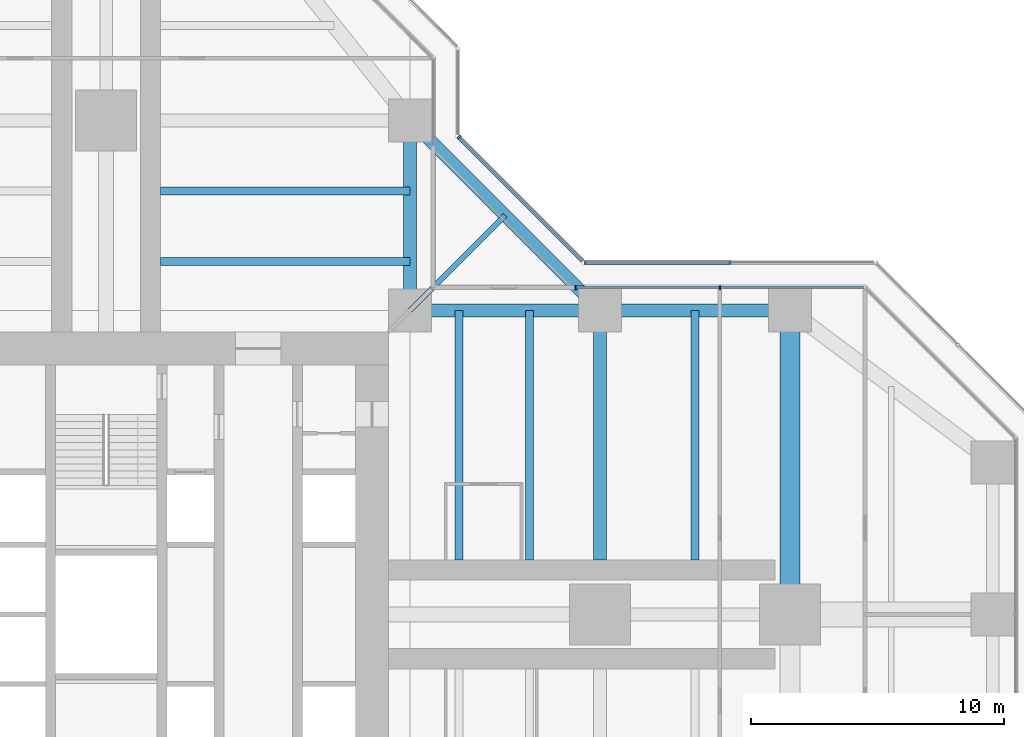
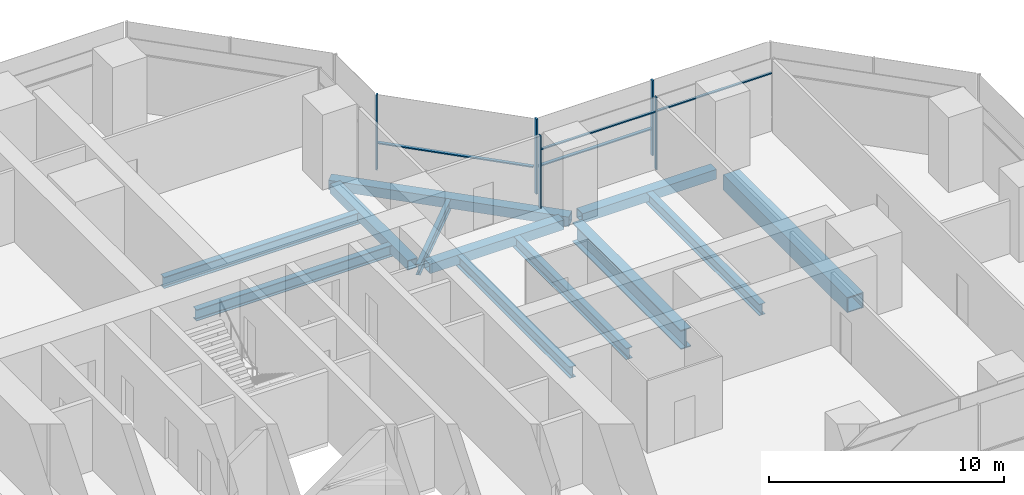
# One storey, part 9 of 19: 12 beams, 9 members, 3 elements without a shape of their own.
"""IFC4 building model written with IfcOpenShell, lengths in metres."""

from ifc_helpers import new_model, si_unit, direction, frame, origin, origin_2d, place, context, subcontext, project, spatial, rectangle, hollow_rectangle, i_section, extrude, material, material_profile, profile_set, type_object, element, aggregate, save


model = new_model("IFC4")

# Units and contexts
model_context = context("Model", 3, precision=1e-05, world=origin(), true_north=direction((0.0, 1.0)))
body_context = subcontext(model_context, "Body", "Model", "MODEL_VIEW")
ifc_project = project(units=[si_unit("LENGTHUNIT", "METRE"), si_unit("AREAUNIT", "SQUARE_METRE"), si_unit("VOLUMEUNIT", "CUBIC_METRE"), si_unit("PLANEANGLEUNIT", "RADIAN"), si_unit("MASSUNIT", "GRAM", prefix="KILO")], contexts=[model_context])

# Site, building, storey
site_placement = place(None, origin())
site = spatial("IfcSite", under=ifc_project, at=site_placement, CompositionType="ELEMENT")
building_placement = place(site_placement, origin())
building = spatial("IfcBuilding", under=site, at=building_placement, Name="Mizan Broadcast Tower", CompositionType="ELEMENT")
storey_placement = place(building_placement, frame((0.0, 0.0, 182.699951171875)))
storey = spatial("IfcBuildingStorey", under=building, at=storey_placement, Name="L42", CompositionType="ELEMENT", Elevation=182.699951171875)

# Beams
ifc_material_1 = material(Name="Steel S355", Category="steel")
ifc_material_profile_1 = material_profile(ifc_material_1, hollow_rectangle(XDim=0.5, YDim=0.5, WallThickness=0.030029296875, at=origin_2d()), Name="BOX 500x500x30")
ifc_profile_set_1 = profile_set([ifc_material_profile_1], Name="Steel S355")
beam_type_1 = type_object("IfcBeamType", Name="EDGE BEAM BOX 500x500x30", PredefinedType="SPANDREL", material=ifc_profile_set_1)
for number, where, z_axis, x_axis, name in (
    (1, (12.449951171875, 12.0, -0.3798828125), (1.0, 0.0, 0.0), (0.0, 1.0, 0.0), "Edge beam BOX 500x500x30 L42 east arm"),
    (2, (19.949951171875, 12.0, -0.3798828125), (1.0, 0.0, 0.0), (0.0, 1.0, 0.0), "Edge beam BOX 500x500x30 L42 east arm"),
    (3, (12.0, 12.449951171875, -0.3798828125), (0.0, 1.0, 0.0), (-1.0, 0.0, 0.0), "Edge beam BOX 500x500x30 L42 north arm"),
):
    element("IfcBeam", number, at=place(storey_placement, frame(where, z_axis=z_axis, x_axis=x_axis)), inside=storey, type_object=beam_type_1, Name=name, PredefinedType="SPANDREL", context=body_context, shape_type="SweptSolid", body=[
        extrude(hollow_rectangle(XDim=0.5, YDim=0.5, WallThickness=0.030029296875, at=origin_2d()), origin(), (0.0, 0.0, 1.0), 6.60009765625),
    ])
beam_1_placement = place(storey_placement, frame((19.5, 12.0, -0.3798828125), z_axis=(-0.707106781187, 0.707106781187, 0.0), x_axis=(-0.707106781187, -0.707106781187, 0.0)))
element("IfcBeam", 4, at=beam_1_placement, inside=storey, type_object=beam_type_1, Name="Winter garden edge beam L42 E", PredefinedType="SPANDREL", context=body_context, shape_type="SweptSolid", body=[
    extrude(hollow_rectangle(XDim=0.5, YDim=0.5, WallThickness=0.030029296875, at=origin_2d()), origin(), (0.0, 0.0, 1.0), 10.606689453125),
])
ifc_material_2 = material(Name="Steel S460", Category="steel")
ifc_material_profile_2 = material_profile(ifc_material_2, hollow_rectangle(XDim=0.800048828125, YDim=0.800048828125, WallThickness=0.050048828125, at=origin_2d()), Name="BOX 800x800x50")
ifc_profile_set_2 = profile_set([ifc_material_profile_2], Name="Steel S460")
beam_type_2 = type_object("IfcBeamType", Name="GIRDER BOX 800x800x50", PredefinedType="BEAM", material=ifc_profile_set_2)
beam_2_placement = place(storey_placement, frame((27.0, 11.280029296875, -0.530029296875), z_axis=(0.0, -1.0, 0.0), x_axis=(1.0, 0.0, 0.0)))
element("IfcBeam", 5, at=beam_2_placement, inside=storey, type_object=beam_type_2, Name="Girder BOX 800x800x50 L42 east arm", PredefinedType="BEAM", context=body_context, shape_type="SweptSolid", body=[
    extrude(hollow_rectangle(XDim=0.800048828125, YDim=0.800048828125, WallThickness=0.050048828125, at=origin_2d()), origin(), (0.0, 0.0, 1.0), 10.56005859375),
])
ifc_material_3 = material(Name="Steel S460", Category="steel")
ifc_material_profile_3 = material_profile(ifc_material_3, i_section(OverallWidth=0.5, OverallDepth=1.0, WebThickness=0.02490234375, FlangeThickness=0.050048828125, at=origin_2d()), Name="WPG 1000x500")
ifc_profile_set_3 = profile_set([ifc_material_profile_3], Name="Steel S460")
beam_type_3 = type_object("IfcBeamType", Name="GIRDER WPG 1000x500", PredefinedType="BEAM", material=ifc_profile_set_3)
beam_3_placement = place(storey_placement, frame((19.5, 11.408935546875, -0.6298828125), z_axis=(0.0, -1.0, 0.0), x_axis=(1.0, 0.0, 0.0)))
element("IfcBeam", 6, at=beam_3_placement, inside=storey, type_object=beam_type_3, Name="Girder WPG 1000x500 L42 east arm", PredefinedType="BEAM", context=body_context, shape_type="SweptSolid", body=[
    extrude(i_section(OverallWidth=0.5, OverallDepth=1.0, WebThickness=0.02490234375, FlangeThickness=0.050048828125, at=origin_2d()), origin(), (0.0, 0.0, 1.0), 9.259033203125),
])

# Curtain wall, members
ifc_material_4 = material(Name="Aluminium framed glazing", Category="aluminium")
curtain_wall_type_1 = type_object("IfcCurtainWallType", Name="INNER SKIN MID ZONE", PredefinedType="USERDEFINED", material=ifc_material_4)
curtain_wall_1_placement = place(storey_placement, origin())
curtain_wall_1 = element("IfcCurtainWall", 7, at=curtain_wall_1_placement, inside=storey, type_object=curtain_wall_type_1, Name="Inner skin mid zone L42 E side", ObjectType="INNER SKIN MID ZONE", PredefinedType="USERDEFINED")
ifc_material_5 = material(Name="Aluminium, pale anodised", Category="aluminium")
ifc_material_profile_4 = material_profile(ifc_material_5, rectangle(XDim=0.159912109375, YDim=0.06005859375, at=origin_2d()), Name="MULLION 160x60")
ifc_profile_set_4 = profile_set([ifc_material_profile_4], Name="Aluminium, pale anodised")
member_type_1 = type_object("IfcMemberType", Name="INNER SKIN MULLION 60x160", PredefinedType="MULLION", material=ifc_profile_set_4)
member_1_placement = place(storey_placement, frame((24.229248046875, 12.89990234375, 0.0), z_axis=(0.0, 0.0, 1.0), x_axis=(0.0, -1.0, 0.0)))
member_1 = element("IfcMember", 8, at=member_1_placement, type_object=member_type_1, Name="Inner skin mid zone L42 E side mullion 2", PredefinedType="MULLION", context=body_context, shape_type="SweptSolid", body=[
    extrude(rectangle(XDim=0.159912109375, YDim=0.06005859375, at=origin_2d()), origin(), (0.0, 0.0, 1.0), 3.77001953125),
])
member_2_placement = place(storey_placement, frame((18.530029296875, 12.89990234375, 0.0), z_axis=(0.0, 0.0, 1.0), x_axis=(0.0, -1.0, 0.0)))
member_2 = element("IfcMember", 9, at=member_2_placement, type_object=member_type_1, Name="Inner skin mid zone L42 E side mullion 3", PredefinedType="MULLION", context=body_context, shape_type="SweptSolid", body=[
    extrude(rectangle(XDim=0.159912109375, YDim=0.06005859375, at=origin_2d()), origin(), (0.0, 0.0, 1.0), 3.77001953125),
])
ifc_material_6 = material(Name="Aluminium, pale anodised", Category="aluminium")
ifc_material_profile_5 = material_profile(ifc_material_6, rectangle(XDim=0.1201171875, YDim=0.06005859375, at=origin_2d()), Name="TRANSOM 120x60")
ifc_profile_set_5 = profile_set([ifc_material_profile_5], Name="Aluminium, pale anodised")
member_type_2 = type_object("IfcMemberType", Name="INNER SKIN TRANSOM 60x120", PredefinedType="USERDEFINED", material=ifc_profile_set_5)
member_3_placement = place(storey_placement, frame((29.898681640625, 12.89990234375, 3.030029296875), z_axis=(-1.0, 0.0, 0.0), x_axis=(0.0, -1.0, 0.0)))
member_3 = element("IfcMember", 10, at=member_3_placement, type_object=member_type_2, Name="Inner skin mid zone L42 E side transom 1.1", ObjectType="TRANSOM", PredefinedType="USERDEFINED", context=body_context, shape_type="SweptSolid", body=[
    extrude(rectangle(XDim=0.1201171875, YDim=0.06005859375, at=origin_2d()), origin(), (0.0, 0.0, 1.0), 5.639404296875),
])
member_4_placement = place(storey_placement, frame((24.19921875, 12.89990234375, 3.030029296875), z_axis=(-1.0, 0.0, 0.0), x_axis=(0.0, -1.0, 0.0)))
member_4 = element("IfcMember", 11, at=member_4_placement, type_object=member_type_2, Name="Inner skin mid zone L42 E side transom 2.1", ObjectType="TRANSOM", PredefinedType="USERDEFINED", context=body_context, shape_type="SweptSolid", body=[
    extrude(rectangle(XDim=0.1201171875, YDim=0.06005859375, at=origin_2d()), origin(), (0.0, 0.0, 1.0), 5.63916015625),
])
aggregate(curtain_wall_1, [member_1, member_2, member_3, member_4])

ifc_material_7 = material(Name="Aluminium framed glazing", Category="aluminium")
curtain_wall_type_2 = type_object("IfcCurtainWallType", Name="OUTER SKIN", PredefinedType="USERDEFINED", material=ifc_material_7)
curtain_wall_2_placement = place(storey_placement, origin())
curtain_wall_2 = element("IfcCurtainWall", 12, at=curtain_wall_2_placement, inside=storey, type_object=curtain_wall_type_2, Name="Outer skin L42 E side", ObjectType="OUTER SKIN", PredefinedType="USERDEFINED")
ifc_material_8 = material(Name="Aluminium, pale anodised", Category="aluminium")
ifc_material_profile_6 = material_profile(ifc_material_8, rectangle(XDim=0.159912109375, YDim=0.080078125, at=origin_2d()), Name="MULLION 160x80")
ifc_profile_set_6 = profile_set([ifc_material_profile_6], Name="Aluminium, pale anodised")
member_type_3 = type_object("IfcMemberType", Name="OUTER SKIN MULLION 80x160", PredefinedType="MULLION", material=ifc_profile_set_6)
member_5_placement = place(storey_placement, frame((24.622802734375, 13.89990234375, 0.0), z_axis=(0.0, 0.0, 1.0), x_axis=(0.0, -1.0, 0.0)))
member_5 = element("IfcMember", 13, at=member_5_placement, type_object=member_type_3, Name="Outer skin L42 E side mullion 2", PredefinedType="MULLION", context=body_context, shape_type="SweptSolid", body=[
    extrude(rectangle(XDim=0.159912109375, YDim=0.080078125, at=origin_2d()), origin(), (0.0, 0.0, 1.0), 3.900146484375),
])
member_6_placement = place(storey_placement, frame((18.912841796875, 13.89990234375, 0.0), z_axis=(0.0, 0.0, 1.0), x_axis=(0.0, -1.0, 0.0)))
member_6 = element("IfcMember", 14, at=member_6_placement, type_object=member_type_3, Name="Outer skin L42 E side mullion 3", PredefinedType="MULLION", context=body_context, shape_type="SweptSolid", body=[
    extrude(rectangle(XDim=0.159912109375, YDim=0.080078125, at=origin_2d()), origin(), (0.0, 0.0, 1.0), 3.900146484375),
])

# Curtain wall, member
curtain_wall_3_placement = place(storey_placement, origin())
curtain_wall_3 = element("IfcCurtainWall", 15, at=curtain_wall_3_placement, inside=storey, type_object=curtain_wall_type_2, Name="Outer skin L42 E chamfer", ObjectType="OUTER SKIN", PredefinedType="USERDEFINED")
member_7_placement = place(storey_placement, frame((13.92822265625, 18.844482421875, 0.0), z_axis=(0.0, 0.0, 1.0), x_axis=(-0.707106781187, -0.707106781187, 0.0)))
member_7 = element("IfcMember", 16, at=member_7_placement, type_object=member_type_3, Name="Outer skin L42 E chamfer mullion 2", PredefinedType="MULLION", context=body_context, shape_type="SweptSolid", body=[
    extrude(rectangle(XDim=0.159912109375, YDim=0.080078125, at=origin_2d()), origin(), (0.0, 0.0, 1.0), 3.900146484375),
])

# Member
ifc_material_9 = material(Name="Aluminium, pale anodised", Category="aluminium")
ifc_material_profile_7 = material_profile(ifc_material_9, rectangle(XDim=0.159912109375, YDim=0.06005859375, at=origin_2d()), Name="TRANSOM 160x60")
ifc_profile_set_7 = profile_set([ifc_material_profile_7], Name="Aluminium, pale anodised")
member_type_4 = type_object("IfcMemberType", Name="OUTER SKIN TRANSOM 60x160", PredefinedType="USERDEFINED", material=ifc_profile_set_7)
member_8_placement = place(storey_placement, frame((24.582763671875, 13.89990234375, 1.400146484375), z_axis=(-1.0, 0.0, 0.0), x_axis=(0.0, -1.0, 0.0)))
member_8 = element("IfcMember", 17, at=member_8_placement, type_object=member_type_4, Name="Outer skin L42 E side transom 2.1", ObjectType="TRANSOM", PredefinedType="USERDEFINED", context=body_context, shape_type="SweptSolid", body=[
    extrude(rectangle(XDim=0.159912109375, YDim=0.06005859375, at=origin_2d()), origin(), (0.0, 0.0, 1.0), 5.6298828125),
])

aggregate(curtain_wall_2, [member_5, member_6, member_8])

member_9_placement = place(storey_placement, frame((18.816162109375, 13.95654296875, 1.400146484375), z_axis=(-0.707106781187, 0.707106781187, 0.0), x_axis=(-0.707106781187, -0.707106781187, 0.0)))
member_9 = element("IfcMember", 18, at=member_9_placement, type_object=member_type_4, Name="Outer skin L42 E chamfer transom 1.1", ObjectType="TRANSOM", PredefinedType="USERDEFINED", context=body_context, shape_type="SweptSolid", body=[
    extrude(rectangle(XDim=0.159912109375, YDim=0.06005859375, at=origin_2d()), origin(), (0.0, 0.0, 1.0), 6.87255859375),
])

aggregate(curtain_wall_3, [member_7, member_9])

# Beams
ifc_material_10 = material(Name="Steel S355", Category="steel")
ifc_material_profile_8 = material_profile(ifc_material_10, i_section(OverallWidth=0.300048828125, OverallDepth=0.590087890625, WebThickness=0.012939453125, FlangeThickness=0.02490234375, FilletRadius=0.027099609375, at=origin_2d()), Name="HEA 600")
ifc_profile_set_8 = profile_set([ifc_material_profile_8], Name="Steel S355")
beam_type_4 = type_object("IfcBeamType", Name="SECONDARY BEAM HEA 600", PredefinedType="JOIST", material=ifc_profile_set_8)
for number, where, z_axis, x_axis, name in (
    (19, (13.933349609375, 12.0, -0.425048828125), (0.0, -1.0, 0.0), (1.0, 0.0, 0.0), "Secondary beam HEA 600 L42 east arm"),
    (20, (16.716552734375, 12.0, -0.425048828125), (0.0, -1.0, 0.0), (1.0, 0.0, 0.0), "Secondary beam HEA 600 L42 east arm"),
    (21, (23.25, 12.0, -0.425048828125), (0.0, -1.0, 0.0), (1.0, 0.0, 0.0), "Secondary beam HEA 600 L42 east arm"),
    (22, (12.0, 13.933349609375, -0.425048828125), (-1.0, 0.0, 0.0), (0.0, -1.0, 0.0), "Secondary beam HEA 600 L42 north arm"),
    (23, (12.0, 16.716552734375, -0.425048828125), (-1.0, 0.0, 0.0), (0.0, -1.0, 0.0), "Secondary beam HEA 600 L42 north arm"),
):
    element("IfcBeam", number, at=place(storey_placement, frame(where, z_axis=z_axis, x_axis=x_axis)), inside=storey, type_object=beam_type_4, Name=name, PredefinedType="JOIST", context=body_context, shape_type="SweptSolid", body=[
        extrude(i_section(OverallWidth=0.300048828125, OverallDepth=0.590087890625, WebThickness=0.012939453125, FlangeThickness=0.02490234375, FilletRadius=0.027099609375, at=origin_2d()), origin(), (0.0, 0.0, 1.0), 9.85009765625),
    ])
ifc_material_11 = material(Name="Steel S355", Category="steel")
ifc_material_profile_9 = material_profile(ifc_material_11, i_section(OverallWidth=0.2099609375, OverallDepth=0.550048828125, WebThickness=0.010986328125, FlangeThickness=0.01708984375, FilletRadius=0.02392578125, at=origin_2d()), Name="IPE 550")
ifc_profile_set_9 = profile_set([ifc_material_profile_9], Name="Steel S355")
beam_type_5 = type_object("IfcBeamType", Name="SECONDARY BEAM IPE 550", PredefinedType="JOIST", material=ifc_profile_set_9)
beam_4_placement = place(storey_placement, frame((12.0, 12.0, -0.405029296875), z_axis=(0.707106781187, 0.707106781187, 0.0), x_axis=(-0.707106781187, 0.707106781187, 0.0)))
element("IfcBeam", 24, at=beam_4_placement, inside=storey, type_object=beam_type_5, Name="Winter garden beam L42 E", PredefinedType="JOIST", context=body_context, shape_type="SweptSolid", body=[
    extrude(i_section(OverallWidth=0.2099609375, OverallDepth=0.550048828125, WebThickness=0.010986328125, FlangeThickness=0.01708984375, FilletRadius=0.02392578125, at=origin_2d()), origin(), (0.0, 0.0, 1.0), 5.30322265625),
])

save(model, "model.ifc")
